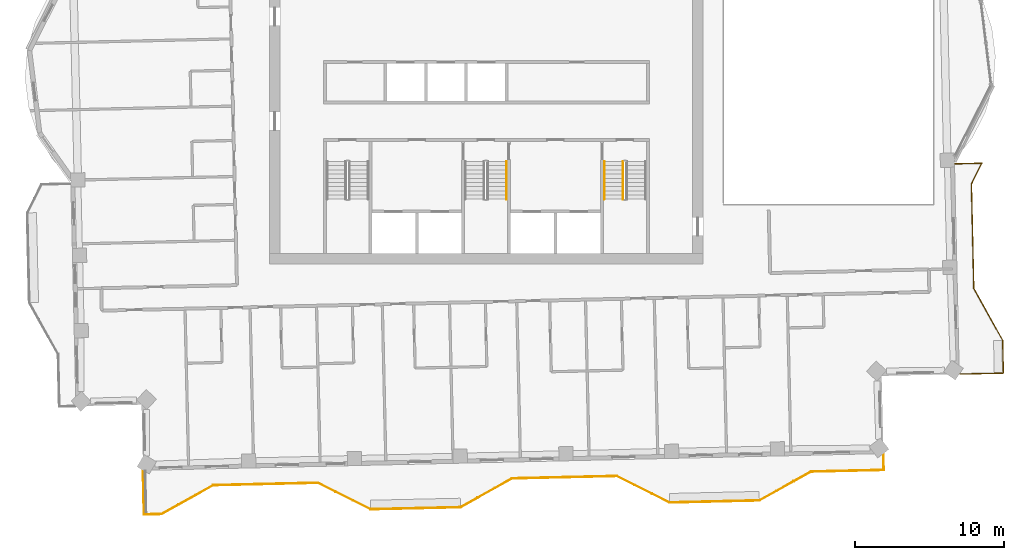
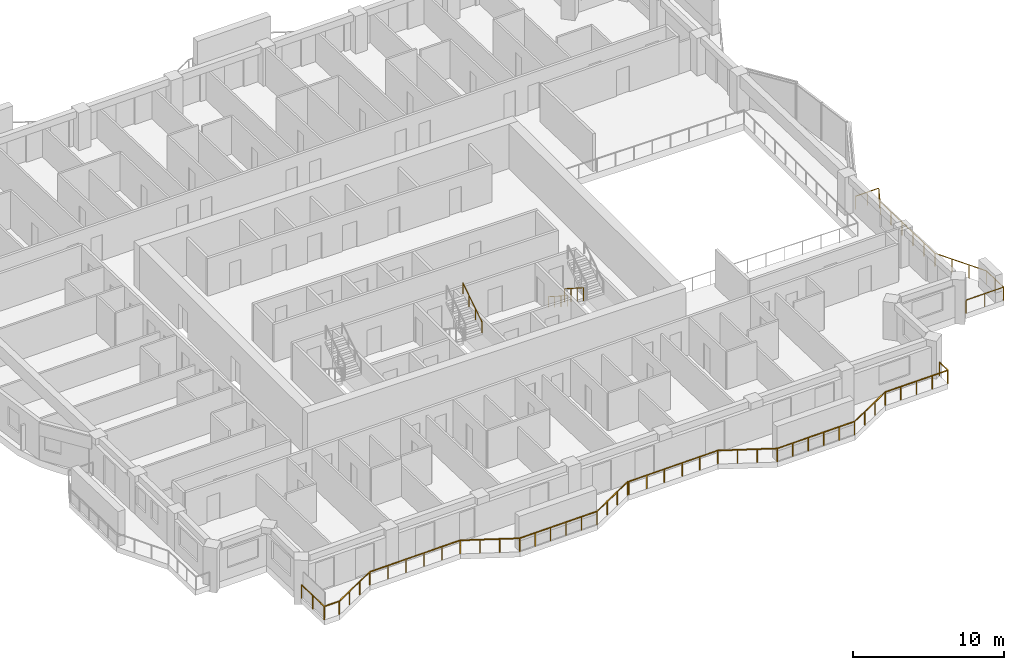
# One storey, part 18 of 20: 5 railings.
"""IFC4 building model written with IfcOpenShell, lengths in metres."""

from ifc_helpers import new_model, si_unit, direction, frame, origin, origin_2d, place, context, subcontext, project, spatial, rectangle, circle, extrude, material, type_object, element, save


model = new_model("IFC4")

# Units and contexts
model_context = context("Model", 3, precision=1e-05, world=origin(), true_north=direction((0.0, 1.0)))
body_context = subcontext(model_context, "Body", "Model", "MODEL_VIEW")
ifc_project = project(units=[si_unit("LENGTHUNIT", "METRE"), si_unit("AREAUNIT", "SQUARE_METRE"), si_unit("VOLUMEUNIT", "CUBIC_METRE"), si_unit("PLANEANGLEUNIT", "RADIAN"), si_unit("MASSUNIT", "GRAM", prefix="KILO")], contexts=[model_context])

# Site, building, storey
site_placement = place(None, origin())
site = spatial("IfcSite", under=ifc_project, at=site_placement, CompositionType="ELEMENT")
building_placement = place(site_placement, origin())
building = spatial("IfcBuilding", under=site, at=building_placement, Name="Mangrove Gate Tower", CompositionType="ELEMENT")
storey_placement = place(building_placement, frame((0.0, 0.0, 294.300048828125)))
storey = spatial("IfcBuildingStorey", under=building, at=storey_placement, Name="L75", CompositionType="ELEMENT", Elevation=294.300048828125)

# Railings
ifc_material_1 = material(Name="Stainless steel grade 316 with laminated glass infill", Category="steel")
railing_type_1 = type_object("IfcRailingType", Name="Balcony guard 1100", PredefinedType="GUARDRAIL", material=ifc_material_1)
railing_1_placement = place(storey_placement, frame((31.680908203125, -18.873046875, 0.0)))
element("IfcRailing", 1, at=railing_1_placement, inside=storey, type_object=railing_type_1, Name="GUARD L75 E1", PredefinedType="GUARDRAIL", context=body_context, shape_type="SweptSolid", body=[
    extrude(rectangle(XDim=0.048095703125, YDim=0.048095703125, at=origin_2d()), frame((0.0, 0.0, 1.076171875), z_axis=(0.999741662318, 0.022729026048, 0.0), x_axis=(-0.022729026048, 0.999741662318, 0.0)), (0.0, 0.0, 1.0), 2.910888671875),
    extrude(rectangle(XDim=0.048095703125, YDim=0.048095703125, at=origin_2d()), frame((2.91015625, 0.066162109375, 1.076171875), z_axis=(-0.022744087289, 0.999741319789, 0.0), x_axis=(-0.999741319789, -0.022744087289, 0.0)), (0.0, 0.0, 1.0), 2.200439453125),
    extrude(rectangle(XDim=0.048095703125, YDim=0.048095703125, at=origin_2d()), frame((2.860107421875, 2.26611328125, 1.076171875), z_axis=(-0.48726008209, 0.87325689943, 0.0), x_axis=(-0.87325689943, -0.48726008209, 0.0)), (0.0, 0.0, 1.0), 3.958740234375),
    extrude(rectangle(XDim=0.048095703125, YDim=0.048095703125, at=origin_2d()), frame((0.93115234375, 5.72314453125, 1.076171875), z_axis=(-0.022741212823, 0.999741385179, 0.0), x_axis=(-0.999741385179, -0.022741212823, 0.0)), (0.0, 0.0, 1.0), 6.99951171875),
    extrude(rectangle(XDim=0.048095703125, YDim=0.048095703125, at=origin_2d()), frame((0.77197265625, 12.720947265625, 1.076171875), z_axis=(0.4469623872, 0.89455275106, 0.0), x_axis=(-0.89455275106, 0.4469623872, 0.0)), (0.0, 0.0, 1.0), 1.55517578125),
    extrude(rectangle(XDim=0.048095703125, YDim=0.048095703125, at=origin_2d()), frame((1.467041015625, 14.112060546875, 1.076171875), z_axis=(-0.999736374059, -0.02296045261, 0.0), x_axis=(0.02296045261, -0.999736374059, 0.0)), (0.0, 0.0, 1.0), 1.786376953125),
    extrude(rectangle(XDim=0.0419921875, YDim=0.0419921875, at=origin_2d()), origin(), (0.0, 0.0, 1.0), 1.052001953125),
    extrude(rectangle(XDim=0.0419921875, YDim=0.0419921875, at=origin_2d()), frame((1.455078125, 0.033203125, 0.0)), (0.0, 0.0, 1.0), 1.052001953125),
    extrude(rectangle(XDim=0.0419921875, YDim=0.0419921875, at=origin_2d()), frame((2.91015625, 0.066162109375, 0.0)), (0.0, 0.0, 1.0), 1.052001953125),
    extrude(rectangle(XDim=0.0419921875, YDim=0.0419921875, at=origin_2d()), frame((2.88525390625, 1.166015625, 0.0)), (0.0, 0.0, 1.0), 1.052001953125),
    extrude(rectangle(XDim=0.0419921875, YDim=0.0419921875, at=origin_2d()), frame((2.860107421875, 2.26611328125, 0.0)), (0.0, 0.0, 1.0), 1.052001953125),
    extrude(rectangle(XDim=0.0419921875, YDim=0.0419921875, at=origin_2d()), frame((2.217041015625, 3.41845703125, 0.0)), (0.0, 0.0, 1.0), 1.052001953125),
    extrude(rectangle(XDim=0.0419921875, YDim=0.0419921875, at=origin_2d()), frame((1.57421875, 4.57080078125, 0.0)), (0.0, 0.0, 1.0), 1.052001953125),
    extrude(rectangle(XDim=0.0419921875, YDim=0.0419921875, at=origin_2d()), frame((0.93115234375, 5.72314453125, 0.0)), (0.0, 0.0, 1.0), 1.052001953125),
    extrude(rectangle(XDim=0.0419921875, YDim=0.0419921875, at=origin_2d()), frame((0.8994140625, 7.122802734375, 0.0)), (0.0, 0.0, 1.0), 1.052001953125),
    extrude(rectangle(XDim=0.0419921875, YDim=0.0419921875, at=origin_2d()), frame((0.867431640625, 8.522216796875, 0.0)), (0.0, 0.0, 1.0), 1.052001953125),
    extrude(rectangle(XDim=0.0419921875, YDim=0.0419921875, at=origin_2d()), frame((0.835693359375, 9.921875, 0.0)), (0.0, 0.0, 1.0), 1.052001953125),
    extrude(rectangle(XDim=0.0419921875, YDim=0.0419921875, at=origin_2d()), frame((0.8037109375, 11.3212890625, 0.0)), (0.0, 0.0, 1.0), 1.052001953125),
    extrude(rectangle(XDim=0.0419921875, YDim=0.0419921875, at=origin_2d()), frame((0.77197265625, 12.720947265625, 0.0)), (0.0, 0.0, 1.0), 1.052001953125),
    extrude(rectangle(XDim=0.0419921875, YDim=0.0419921875, at=origin_2d()), frame((1.11962890625, 13.41650390625, 0.0)), (0.0, 0.0, 1.0), 1.052001953125),
    extrude(rectangle(XDim=0.0419921875, YDim=0.0419921875, at=origin_2d()), frame((1.467041015625, 14.112060546875, 0.0)), (0.0, 0.0, 1.0), 1.052001953125),
    extrude(rectangle(XDim=0.0419921875, YDim=0.0419921875, at=origin_2d()), frame((0.57421875, 14.091552734375, 0.0)), (0.0, 0.0, 1.0), 1.052001953125),
    extrude(rectangle(XDim=0.0419921875, YDim=0.0419921875, at=origin_2d()), frame((-0.31884765625, 14.071044921875, 0.0)), (0.0, 0.0, 1.0), 1.052001953125),
])
railing_2_placement = place(storey_placement, frame((-22.9619140625, -25.35400390625, 0.0)))
element("IfcRailing", 2, at=railing_2_placement, inside=storey, type_object=railing_type_1, Name="GUARD L75 S1", PredefinedType="GUARDRAIL", context=body_context, shape_type="SweptSolid", body=[
    extrude(rectangle(XDim=0.048095703125, YDim=0.048095703125, at=origin_2d()), frame((0.0, 0.0, 1.076171875), z_axis=(0.022654696127, -0.999743349437, 0.0), x_axis=(0.999743349437, 0.022654696127, 0.0)), (0.0, 0.0, 1.0), 2.90966796875),
    extrude(rectangle(XDim=0.048095703125, YDim=0.048095703125, at=origin_2d()), frame((0.06591796875, -2.908935546875, 1.076171875), z_axis=(0.999754619798, 0.0221517537, 0.0), x_axis=(-0.0221517537, 0.999754619798, 0.0)), (0.0, 0.0, 1.0), 1.168212890625),
    extrude(rectangle(XDim=0.048095703125, YDim=0.048095703125, at=origin_2d()), frame((1.23388671875, -2.883056640625, 1.076171875), z_axis=(0.87325689943, 0.48726008209, 0.0), x_axis=(-0.48726008209, 0.87325689943, 0.0)), (0.0, 0.0, 1.0), 3.958740234375),
    extrude(rectangle(XDim=0.048095703125, YDim=0.048095703125, at=origin_2d()), frame((4.69091796875, -0.9541015625, 1.076171875), z_axis=(0.999741403216, 0.022740419861, 0.0), x_axis=(-0.022740419861, 0.999741403216, 0.0)), (0.0, 0.0, 1.0), 6.999755859375),
    extrude(rectangle(XDim=0.048095703125, YDim=0.048095703125, at=origin_2d()), frame((11.68896484375, -0.794921875, 1.076171875), z_axis=(0.894476522376, -0.447114919141, 0.0), x_axis=(0.447114919141, 0.894476522376, 0.0)), (0.0, 0.0, 1.0), 3.958740234375),
    extrude(rectangle(XDim=0.048095703125, YDim=0.048095703125, at=origin_2d()), frame((15.22998046875, -2.56494140625, 1.076171875), z_axis=(0.999743178102, 0.022662255828, 0.0), x_axis=(-0.022662255828, 0.999743178102, 0.0)), (0.0, 0.0, 1.0), 6.00048828125),
    extrude(rectangle(XDim=0.048095703125, YDim=0.048095703125, at=origin_2d()), frame((21.22900390625, -2.428955078125, 1.076171875), z_axis=(0.87325689943, 0.48726008209, 0.0), x_axis=(-0.48726008209, 0.87325689943, 0.0)), (0.0, 0.0, 1.0), 3.958740234375),
    extrude(rectangle(XDim=0.048095703125, YDim=0.048095703125, at=origin_2d()), frame((24.68603515625, -0.5, 1.076171875), z_axis=(0.999808759986, 0.019556161565, 0.0), x_axis=(-0.019556161565, 0.999808759986, 0.0)), (0.0, 0.0, 1.0), 0.099853515625),
    extrude(rectangle(XDim=0.048095703125, YDim=0.048095703125, at=origin_2d()), frame((24.785888671875, -0.498046875, 1.076171875), z_axis=(0.999741140915, 0.022751948524, 0.0), x_axis=(-0.022751948524, 0.999741140915, 0.0)), (0.0, 0.0, 1.0), 6.899658203125),
    extrude(rectangle(XDim=0.048095703125, YDim=0.048095703125, at=origin_2d()), frame((31.683837890625, -0.341064453125, 1.076171875), z_axis=(0.894377854182, -0.447312255532, 0.0), x_axis=(0.447312255532, 0.894377854182, 0.0)), (0.0, 0.0, 1.0), 3.959228515625),
    extrude(rectangle(XDim=0.048095703125, YDim=0.048095703125, at=origin_2d()), frame((35.224853515625, -2.112060546875, 1.076171875), z_axis=(0.999739477659, 0.022824916448, 0.0), x_axis=(-0.022824916448, 0.999739477659, 0.0)), (0.0, 0.0, 1.0), 6.00048828125),
    extrude(rectangle(XDim=0.048095703125, YDim=0.048095703125, at=origin_2d()), frame((41.223876953125, -1.97509765625, 1.076171875), z_axis=(0.873335618354, 0.48711897696, 0.0), x_axis=(-0.48711897696, 0.873335618354, 0.0)), (0.0, 0.0, 1.0), 3.95849609375),
    extrude(rectangle(XDim=0.048095703125, YDim=0.048095703125, at=origin_2d()), frame((44.680908203125, -0.046875, 1.076171875), z_axis=(0.999740772941, 0.022768111909, 0.0), x_axis=(-0.022768111909, 0.999740772941, 0.0)), (0.0, 0.0, 1.0), 4.8681640625),
    extrude(rectangle(XDim=0.048095703125, YDim=0.048095703125, at=origin_2d()), frame((49.5478515625, 0.06396484375, 1.076171875), z_axis=(-0.022564497502, 0.999745389313, 0.0), x_axis=(-0.999745389313, -0.022564497502, 0.0)), (0.0, 0.0, 1.0), 1.060302734375),
    extrude(rectangle(XDim=0.0419921875, YDim=0.0419921875, at=origin_2d()), origin(), (0.0, 0.0, 1.0), 1.052001953125),
    extrude(rectangle(XDim=0.0419921875, YDim=0.0419921875, at=origin_2d()), frame((0.032958984375, -1.45458984375, 0.0)), (0.0, 0.0, 1.0), 1.052001953125),
    extrude(rectangle(XDim=0.0419921875, YDim=0.0419921875, at=origin_2d()), frame((0.06591796875, -2.908935546875, 0.0)), (0.0, 0.0, 1.0), 1.052001953125),
    extrude(rectangle(XDim=0.0419921875, YDim=0.0419921875, at=origin_2d()), frame((1.23388671875, -2.883056640625, 0.0)), (0.0, 0.0, 1.0), 1.052001953125),
    extrude(rectangle(XDim=0.0419921875, YDim=0.0419921875, at=origin_2d()), frame((2.38623046875, -2.239990234375, 0.0)), (0.0, 0.0, 1.0), 1.052001953125),
    extrude(rectangle(XDim=0.0419921875, YDim=0.0419921875, at=origin_2d()), frame((3.53857421875, -1.59716796875, 0.0)), (0.0, 0.0, 1.0), 1.052001953125),
    extrude(rectangle(XDim=0.0419921875, YDim=0.0419921875, at=origin_2d()), frame((4.69091796875, -0.9541015625, 0.0)), (0.0, 0.0, 1.0), 1.052001953125),
    extrude(rectangle(XDim=0.0419921875, YDim=0.0419921875, at=origin_2d()), frame((6.090576171875, -0.92236328125, 0.0)), (0.0, 0.0, 1.0), 1.052001953125),
    extrude(rectangle(XDim=0.0419921875, YDim=0.0419921875, at=origin_2d()), frame((7.490234375, -0.890380859375, 0.0)), (0.0, 0.0, 1.0), 1.052001953125),
    extrude(rectangle(XDim=0.0419921875, YDim=0.0419921875, at=origin_2d()), frame((8.8896484375, -0.858642578125, 0.0)), (0.0, 0.0, 1.0), 1.052001953125),
    extrude(rectangle(XDim=0.0419921875, YDim=0.0419921875, at=origin_2d()), frame((10.289306640625, -0.82666015625, 0.0)), (0.0, 0.0, 1.0), 1.052001953125),
    extrude(rectangle(XDim=0.0419921875, YDim=0.0419921875, at=origin_2d()), frame((11.68896484375, -0.794921875, 0.0)), (0.0, 0.0, 1.0), 1.052001953125),
    extrude(rectangle(XDim=0.0419921875, YDim=0.0419921875, at=origin_2d()), frame((12.869384765625, -1.385009765625, 0.0)), (0.0, 0.0, 1.0), 1.052001953125),
    extrude(rectangle(XDim=0.0419921875, YDim=0.0419921875, at=origin_2d()), frame((14.049560546875, -1.974853515625, 0.0)), (0.0, 0.0, 1.0), 1.052001953125),
    extrude(rectangle(XDim=0.0419921875, YDim=0.0419921875, at=origin_2d()), frame((15.22998046875, -2.56494140625, 0.0)), (0.0, 0.0, 1.0), 1.052001953125),
    extrude(rectangle(XDim=0.0419921875, YDim=0.0419921875, at=origin_2d()), frame((16.4296875, -2.537841796875, 0.0)), (0.0, 0.0, 1.0), 1.052001953125),
    extrude(rectangle(XDim=0.0419921875, YDim=0.0419921875, at=origin_2d()), frame((17.629638671875, -2.510498046875, 0.0)), (0.0, 0.0, 1.0), 1.052001953125),
    extrude(rectangle(XDim=0.0419921875, YDim=0.0419921875, at=origin_2d()), frame((18.829345703125, -2.4833984375, 0.0)), (0.0, 0.0, 1.0), 1.052001953125),
    extrude(rectangle(XDim=0.0419921875, YDim=0.0419921875, at=origin_2d()), frame((20.029296875, -2.4560546875, 0.0)), (0.0, 0.0, 1.0), 1.052001953125),
    extrude(rectangle(XDim=0.0419921875, YDim=0.0419921875, at=origin_2d()), frame((21.22900390625, -2.428955078125, 0.0)), (0.0, 0.0, 1.0), 1.052001953125),
    extrude(rectangle(XDim=0.0419921875, YDim=0.0419921875, at=origin_2d()), frame((22.38134765625, -1.785888671875, 0.0)), (0.0, 0.0, 1.0), 1.052001953125),
    extrude(rectangle(XDim=0.0419921875, YDim=0.0419921875, at=origin_2d()), frame((23.53369140625, -1.14306640625, 0.0)), (0.0, 0.0, 1.0), 1.052001953125),
    extrude(rectangle(XDim=0.0419921875, YDim=0.0419921875, at=origin_2d()), frame((24.68603515625, -0.5, 0.0)), (0.0, 0.0, 1.0), 1.052001953125),
    extrude(rectangle(XDim=0.0419921875, YDim=0.0419921875, at=origin_2d()), frame((24.785888671875, -0.498046875, 0.0)), (0.0, 0.0, 1.0), 1.052001953125),
    extrude(rectangle(XDim=0.0419921875, YDim=0.0419921875, at=origin_2d()), frame((26.16552734375, -0.466552734375, 0.0)), (0.0, 0.0, 1.0), 1.052001953125),
    extrude(rectangle(XDim=0.0419921875, YDim=0.0419921875, at=origin_2d()), frame((27.545166015625, -0.435302734375, 0.0)), (0.0, 0.0, 1.0), 1.052001953125),
    extrude(rectangle(XDim=0.0419921875, YDim=0.0419921875, at=origin_2d()), frame((28.924560546875, -0.40380859375, 0.0)), (0.0, 0.0, 1.0), 1.052001953125),
    extrude(rectangle(XDim=0.0419921875, YDim=0.0419921875, at=origin_2d()), frame((30.30419921875, -0.37255859375, 0.0)), (0.0, 0.0, 1.0), 1.052001953125),
    extrude(rectangle(XDim=0.0419921875, YDim=0.0419921875, at=origin_2d()), frame((31.683837890625, -0.341064453125, 0.0)), (0.0, 0.0, 1.0), 1.052001953125),
    extrude(rectangle(XDim=0.0419921875, YDim=0.0419921875, at=origin_2d()), frame((32.8642578125, -0.931396484375, 0.0)), (0.0, 0.0, 1.0), 1.052001953125),
    extrude(rectangle(XDim=0.0419921875, YDim=0.0419921875, at=origin_2d()), frame((34.04443359375, -1.521728515625, 0.0)), (0.0, 0.0, 1.0), 1.052001953125),
    extrude(rectangle(XDim=0.0419921875, YDim=0.0419921875, at=origin_2d()), frame((35.224853515625, -2.112060546875, 0.0)), (0.0, 0.0, 1.0), 1.052001953125),
    extrude(rectangle(XDim=0.0419921875, YDim=0.0419921875, at=origin_2d()), frame((36.424560546875, -2.084716796875, 0.0)), (0.0, 0.0, 1.0), 1.052001953125),
    extrude(rectangle(XDim=0.0419921875, YDim=0.0419921875, at=origin_2d()), frame((37.62451171875, -2.057373046875, 0.0)), (0.0, 0.0, 1.0), 1.052001953125),
    extrude(rectangle(XDim=0.0419921875, YDim=0.0419921875, at=origin_2d()), frame((38.82421875, -2.02978515625, 0.0)), (0.0, 0.0, 1.0), 1.052001953125),
    extrude(rectangle(XDim=0.0419921875, YDim=0.0419921875, at=origin_2d()), frame((40.024169921875, -2.00244140625, 0.0)), (0.0, 0.0, 1.0), 1.052001953125),
    extrude(rectangle(XDim=0.0419921875, YDim=0.0419921875, at=origin_2d()), frame((41.223876953125, -1.97509765625, 0.0)), (0.0, 0.0, 1.0), 1.052001953125),
    extrude(rectangle(XDim=0.0419921875, YDim=0.0419921875, at=origin_2d()), frame((42.376220703125, -1.332275390625, 0.0)), (0.0, 0.0, 1.0), 1.052001953125),
    extrude(rectangle(XDim=0.0419921875, YDim=0.0419921875, at=origin_2d()), frame((43.528564453125, -0.689697265625, 0.0)), (0.0, 0.0, 1.0), 1.052001953125),
    extrude(rectangle(XDim=0.0419921875, YDim=0.0419921875, at=origin_2d()), frame((44.680908203125, -0.046875, 0.0)), (0.0, 0.0, 1.0), 1.052001953125),
    extrude(rectangle(XDim=0.0419921875, YDim=0.0419921875, at=origin_2d()), frame((45.897705078125, -0.01904296875, 0.0)), (0.0, 0.0, 1.0), 1.052001953125),
    extrude(rectangle(XDim=0.0419921875, YDim=0.0419921875, at=origin_2d()), frame((47.1142578125, 0.008544921875, 0.0)), (0.0, 0.0, 1.0), 1.052001953125),
    extrude(rectangle(XDim=0.0419921875, YDim=0.0419921875, at=origin_2d()), frame((48.3310546875, 0.0361328125, 0.0)), (0.0, 0.0, 1.0), 1.052001953125),
    extrude(rectangle(XDim=0.0419921875, YDim=0.0419921875, at=origin_2d()), frame((49.5478515625, 0.06396484375, 0.0)), (0.0, 0.0, 1.0), 1.052001953125),
    extrude(rectangle(XDim=0.0419921875, YDim=0.0419921875, at=origin_2d()), frame((49.52392578125, 1.1240234375, 0.0)), (0.0, 0.0, 1.0), 1.052001953125),
])
ifc_material_2 = material(Name="Stainless steel 316", Category="steel")
railing_type_2 = type_object("IfcRailingType", Name="Core stair guard 1100", PredefinedType="GUARDRAIL", material=ifc_material_2)
railing_3_placement = place(storey_placement, frame((9.14990234375, -4.64990234375, 0.179931640625)))
element("IfcRailing", 3, at=railing_3_placement, inside=storey, type_object=railing_type_2, Name="L75 ST3 stair guard 1", PredefinedType="GUARDRAIL", context=body_context, shape_type="SweptSolid", body=[
    extrude(rectangle(XDim=0.048095703125, YDim=0.048095703125, at=origin_2d()), frame((0.0, 0.0, 1.076171875), z_axis=(0.0, -0.841162588446, 0.540782303519), x_axis=(1.0, 0.0, 0.0)), (0.0, 0.0, 1.0), 2.995849609375),
    extrude(rectangle(XDim=0.0419921875, YDim=0.0419921875, at=origin_2d()), origin(), (0.0, 0.0, 1.0), 1.052001953125),
    extrude(rectangle(XDim=0.0419921875, YDim=0.0419921875, at=origin_2d()), frame((0.0, -0.840087890625, 0.5400390625)), (0.0, 0.0, 1.0), 1.052001953125),
    extrude(rectangle(XDim=0.0419921875, YDim=0.0419921875, at=origin_2d()), frame((0.0, -1.679931640625, 1.080078125)), (0.0, 0.0, 1.0), 1.052001953125),
    extrude(rectangle(XDim=0.0419921875, YDim=0.0419921875, at=origin_2d()), frame((0.0, -2.52001953125, 1.6201171875)), (0.0, 0.0, 1.0), 1.052001953125),
])
ifc_material_3 = material(Name="Stainless steel 316", Category="steel")
railing_type_3 = type_object("IfcRailingType", Name="Core stair handrail 900", PredefinedType="HANDRAIL", material=ifc_material_3)
railing_4_placement = place(storey_placement, frame((1.35009765625, -7.169921875, 1.97998046875)))
element("IfcRailing", 4, at=railing_4_placement, inside=storey, type_object=railing_type_3, Name="L75 ST2 stair handrail 2", PredefinedType="HANDRAIL", context=body_context, shape_type="SweptSolid", body=[
    extrude(circle(Radius=0.02392578125, at=origin_2d()), frame((0.0, 0.0, 0.8759765625), z_axis=(0.0, 0.841199657755, 0.540724639528), x_axis=(-1.0, 0.0, 0.0)), (0.0, 0.0, 1.0), 2.995849609375),
    extrude(circle(Radius=0.02099609375, at=origin_2d()), origin(), (0.0, 0.0, 1.0), 0.851806640625),
    extrude(circle(Radius=0.02099609375, at=origin_2d()), frame((0.0, 0.840087890625, 0.5400390625)), (0.0, 0.0, 1.0), 0.851806640625),
    extrude(circle(Radius=0.02099609375, at=origin_2d()), frame((0.0, 1.679931640625, 1.079833984375)), (0.0, 0.0, 1.0), 0.851806640625),
    extrude(circle(Radius=0.02099609375, at=origin_2d()), frame((0.0, 2.52001953125, 1.619873046875)), (0.0, 0.0, 1.0), 0.851806640625),
])
railing_5_placement = place(storey_placement, frame((7.89990234375, -4.64990234375, 0.179931640625)))
element("IfcRailing", 5, at=railing_5_placement, inside=storey, type_object=railing_type_3, Name="L75 ST3 stair handrail 1", PredefinedType="HANDRAIL", context=body_context, shape_type="SweptSolid", body=[
    extrude(circle(Radius=0.02392578125, at=origin_2d()), frame((0.0, 0.0, 0.8759765625), z_axis=(0.0, -0.841162588446, 0.540782303519), x_axis=(1.0, 0.0, 0.0)), (0.0, 0.0, 1.0), 2.995849609375),
    extrude(circle(Radius=0.02099609375, at=origin_2d()), origin(), (0.0, 0.0, 1.0), 0.851806640625),
    extrude(circle(Radius=0.02099609375, at=origin_2d()), frame((0.0, -0.840087890625, 0.5400390625)), (0.0, 0.0, 1.0), 0.851806640625),
    extrude(circle(Radius=0.02099609375, at=origin_2d()), frame((0.0, -1.679931640625, 1.080078125)), (0.0, 0.0, 1.0), 0.851806640625),
    extrude(circle(Radius=0.02099609375, at=origin_2d()), frame((0.0, -2.52001953125, 1.6201171875)), (0.0, 0.0, 1.0), 0.851806640625),
])

save(model, "model.ifc")
